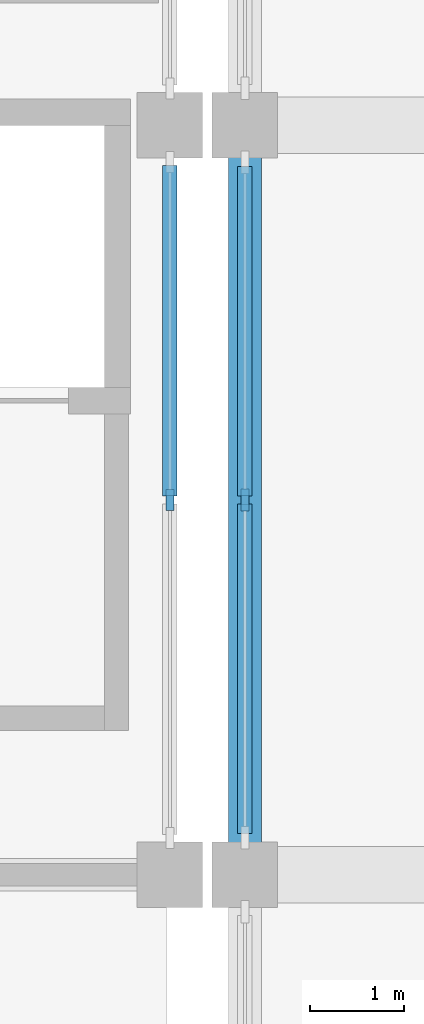
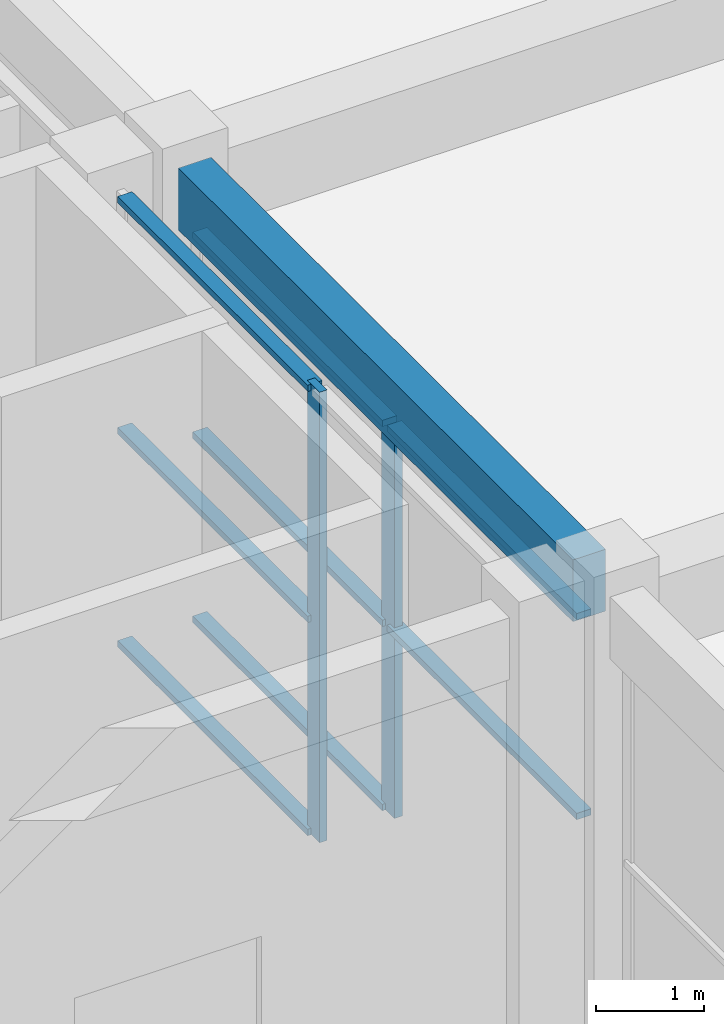
# One storey, part 20 of 86: 10 members, 1 beam, 2 elements without a shape of their own.
"""IFC4 building model written with IfcOpenShell, lengths in metres."""

from ifc_helpers import new_model, si_unit, direction, frame, origin, origin_2d, place, context, subcontext, project, spatial, rectangle, extrude, material, material_profile, profile_set, type_object, element, aggregate, save


model = new_model("IFC4")

# Units and contexts
model_context = context("Model", 3, precision=1e-05, world=origin(), true_north=direction((0.0, 1.0)))
body_context = subcontext(model_context, "Body", "Model", "MODEL_VIEW")
ifc_project = project(units=[si_unit("LENGTHUNIT", "METRE"), si_unit("AREAUNIT", "SQUARE_METRE"), si_unit("VOLUMEUNIT", "CUBIC_METRE"), si_unit("PLANEANGLEUNIT", "RADIAN"), si_unit("MASSUNIT", "GRAM", prefix="KILO")], contexts=[model_context])

# Site, building, storey
site_placement = place(None, origin())
site = spatial("IfcSite", under=ifc_project, at=site_placement, CompositionType="ELEMENT")
building_placement = place(site_placement, origin())
building = spatial("IfcBuilding", under=site, at=building_placement, Name="Kenh Van Central Station", CompositionType="ELEMENT")
storey_placement = place(building_placement, origin())
storey = spatial("IfcBuildingStorey", under=building, at=storey_placement, Name="L00", CompositionType="ELEMENT", Elevation=0.0)

# Curtain wall, member
ifc_material_1 = material(Name="Champagne anodised aluminium", Category="aluminium")
curtain_wall_type_1 = type_object("IfcCurtainWallType", Name="CW-OPER-B", PredefinedType="NOTDEFINED", material=ifc_material_1)
curtain_wall_1_placement = place(storey_placement, origin())
curtain_wall_1 = element("IfcCurtainWall", 1, at=curtain_wall_1_placement, inside=storey, type_object=curtain_wall_type_1, Name="L00 curtain wall 074", PredefinedType="NOTDEFINED")
ifc_material_profile_1 = material_profile(ifc_material_1, rectangle(XDim=0.087890625, YDim=0.239990234375, at=origin_2d()), Name="AL 88x240")
ifc_profile_set_1 = profile_set([ifc_material_profile_1], Name="Champagne anodised aluminium")
member_type_1 = type_object("IfcMemberType", Name="CWM-60x140", PredefinedType="MULLION", material=ifc_profile_set_1)
member_1_placement = place(storey_placement, frame((120.800048828125, 20.0, 0.0), z_axis=(0.0, 0.0, 1.0), x_axis=(1.0, 0.0, 0.0)))
member_1 = element("IfcMember", 2, at=member_1_placement, type_object=member_type_1, Name="CW-08 mullion 2", PredefinedType="MULLION", context=body_context, shape_type="SweptSolid", body=[
    extrude(rectangle(XDim=0.087890625, YDim=0.239990234375, at=origin_2d()), origin(), (0.0, 0.0, 1.0), 4.419921875),
])

# Curtain wall, members
curtain_wall_type_2 = type_object("IfcCurtainWallType", Name="CW-CONC-B", PredefinedType="NOTDEFINED", material=ifc_material_1)
curtain_wall_2_placement = place(storey_placement, origin())
curtain_wall_2 = element("IfcCurtainWall", 3, at=curtain_wall_2_placement, inside=storey, type_object=curtain_wall_type_2, Name="L00 curtain wall 033", PredefinedType="NOTDEFINED")
ifc_material_profile_2 = material_profile(ifc_material_1, rectangle(XDim=0.08203125, YDim=0.22509765625, at=origin_2d()), Name="AL 82x225")
ifc_profile_set_2 = profile_set([ifc_material_profile_2], Name="Champagne anodised aluminium")
member_type_2 = type_object("IfcMemberType", Name="CWM-70x180", PredefinedType="MULLION", material=ifc_profile_set_2)
member_2_placement = place(storey_placement, frame((120.0, 20.0, 0.0), z_axis=(0.0, 0.0, 1.0), x_axis=(-1.0, 0.0, 0.0)))
member_2 = element("IfcMember", 4, at=member_2_placement, type_object=member_type_2, Name="CW-04 mullion 2", PredefinedType="MULLION", context=body_context, shape_type="SweptSolid", body=[
    extrude(rectangle(XDim=0.08203125, YDim=0.22509765625, at=origin_2d()), origin(), (0.0, 0.0, 1.0), 5.10009765625),
])
ifc_material_profile_3 = material_profile(ifc_material_1, rectangle(XDim=0.155029296875, YDim=0.072021484375, at=origin_2d()), Name="AL 155x72")
ifc_profile_set_3 = profile_set([ifc_material_profile_3], Name="Champagne anodised aluminium")
member_type_3 = type_object("IfcMemberType", Name="CWT-120x60", PredefinedType="USERDEFINED", material=ifc_profile_set_3)
member_3_placement = place(storey_placement, frame((120.0, 20.041015625, 0.035888671875), z_axis=(0.0, 1.0, 0.0), x_axis=(-1.0, 0.0, 0.0)))
member_3 = element("IfcMember", 5, at=member_3_placement, type_object=member_type_3, Name="CW-04 transom 2.1", ObjectType="TRANSOM", PredefinedType="USERDEFINED", context=body_context, shape_type="SweptSolid", body=[
    extrude(rectangle(XDim=0.155029296875, YDim=0.072021484375, at=origin_2d()), origin(), (0.0, 0.0, 1.0), 3.527099609375),
])
member_4_placement = place(storey_placement, frame((120.0, 20.041015625, 2.447998046875), z_axis=(0.0, 1.0, 0.0), x_axis=(-1.0, 0.0, 0.0)))
member_4 = element("IfcMember", 6, at=member_4_placement, type_object=member_type_3, Name="CW-04 transom 2.2", ObjectType="TRANSOM", PredefinedType="USERDEFINED", context=body_context, shape_type="SweptSolid", body=[
    extrude(rectangle(XDim=0.155029296875, YDim=0.072021484375, at=origin_2d()), origin(), (0.0, 0.0, 1.0), 3.527099609375),
])
member_5_placement = place(storey_placement, frame((120.0, 20.041015625, 5.06396484375), z_axis=(0.0, 1.0, 0.0), x_axis=(-1.0, 0.0, 0.0)))
member_5 = element("IfcMember", 7, at=member_5_placement, type_object=member_type_3, Name="CW-04 transom 2.3", ObjectType="TRANSOM", PredefinedType="USERDEFINED", context=body_context, shape_type="SweptSolid", body=[
    extrude(rectangle(XDim=0.155029296875, YDim=0.072021484375, at=origin_2d()), origin(), (0.0, 0.0, 1.0), 3.527099609375),
])
aggregate(curtain_wall_2, [member_2, member_3, member_4, member_5])

# Member
member_6_placement = place(storey_placement, frame((120.800048828125, 23.56201171875, 0.035888671875), z_axis=(0.0, -1.0, 0.0), x_axis=(1.0, 0.0, 0.0)))
member_6 = element("IfcMember", 8, at=member_6_placement, type_object=member_type_3, Name="CW-08 transom 1.1", ObjectType="TRANSOM", PredefinedType="USERDEFINED", context=body_context, shape_type="SweptSolid", body=[
    extrude(rectangle(XDim=0.155029296875, YDim=0.072021484375, at=origin_2d()), origin(), (0.0, 0.0, 1.0), 3.51806640625),
])

member_7_placement = place(storey_placement, frame((120.800048828125, 23.56201171875, 2.12158203125), z_axis=(0.0, -1.0, 0.0), x_axis=(1.0, 0.0, 0.0)))
member_7 = element("IfcMember", 9, at=member_7_placement, type_object=member_type_3, Name="CW-08 transom 1.2", ObjectType="TRANSOM", PredefinedType="USERDEFINED", context=body_context, shape_type="SweptSolid", body=[
    extrude(rectangle(XDim=0.155029296875, YDim=0.072021484375, at=origin_2d()), origin(), (0.0, 0.0, 1.0), 3.51806640625),
])

member_8_placement = place(storey_placement, frame((120.800048828125, 23.56201171875, 4.384033203125), z_axis=(0.0, -1.0, 0.0), x_axis=(1.0, 0.0, 0.0)))
member_8 = element("IfcMember", 10, at=member_8_placement, type_object=member_type_3, Name="CW-08 transom 1.3", ObjectType="TRANSOM", PredefinedType="USERDEFINED", context=body_context, shape_type="SweptSolid", body=[
    extrude(rectangle(XDim=0.155029296875, YDim=0.072021484375, at=origin_2d()), origin(), (0.0, 0.0, 1.0), 3.51806640625),
])

member_9_placement = place(storey_placement, frame((120.800048828125, 19.9560546875, 2.12158203125), z_axis=(0.0, -1.0, 0.0), x_axis=(1.0, 0.0, 0.0)))
member_9 = element("IfcMember", 11, at=member_9_placement, type_object=member_type_3, Name="CW-08 transom 2.2", ObjectType="TRANSOM", PredefinedType="USERDEFINED", context=body_context, shape_type="SweptSolid", body=[
    extrude(rectangle(XDim=0.155029296875, YDim=0.072021484375, at=origin_2d()), origin(), (0.0, 0.0, 1.0), 3.51806640625),
])

member_10_placement = place(storey_placement, frame((120.800048828125, 19.9560546875, 4.384033203125), z_axis=(0.0, -1.0, 0.0), x_axis=(1.0, 0.0, 0.0)))
member_10 = element("IfcMember", 12, at=member_10_placement, type_object=member_type_3, Name="CW-08 transom 2.3", ObjectType="TRANSOM", PredefinedType="USERDEFINED", context=body_context, shape_type="SweptSolid", body=[
    extrude(rectangle(XDim=0.155029296875, YDim=0.072021484375, at=origin_2d()), origin(), (0.0, 0.0, 1.0), 3.51806640625),
])

aggregate(curtain_wall_1, [member_1, member_6, member_7, member_8, member_9, member_10])

# Beam
ifc_material_2 = material(Name="Concrete C35/45", Category="concrete")
ifc_material_profile_4 = material_profile(ifc_material_2, rectangle(XDim=0.35009765625, YDim=0.699951171875, at=origin_2d()), Name="RC 350x700")
ifc_profile_set_4 = profile_set([ifc_material_profile_4], Name="Concrete C35/45")
beam_type = type_object("IfcBeamType", Name="SPD-RC-350x700", PredefinedType="SPANDREL", material=ifc_profile_set_4)
beam_placement = place(storey_placement, frame((120.800048828125, 16.340087890625, 4.77001953125), z_axis=(0.0, 1.0, 0.0), x_axis=(-1.0, 0.0, 0.0)))
element("IfcBeam", 13, at=beam_placement, inside=storey, type_object=beam_type, Name="L00 beam 0514", PredefinedType="SPANDREL", context=body_context, shape_type="SweptSolid", body=[
    extrude(rectangle(XDim=0.35009765625, YDim=0.699951171875, at=origin_2d()), origin(), (0.0, 0.0, 1.0), 7.31982421875),
])

save(model, "model.ifc")
